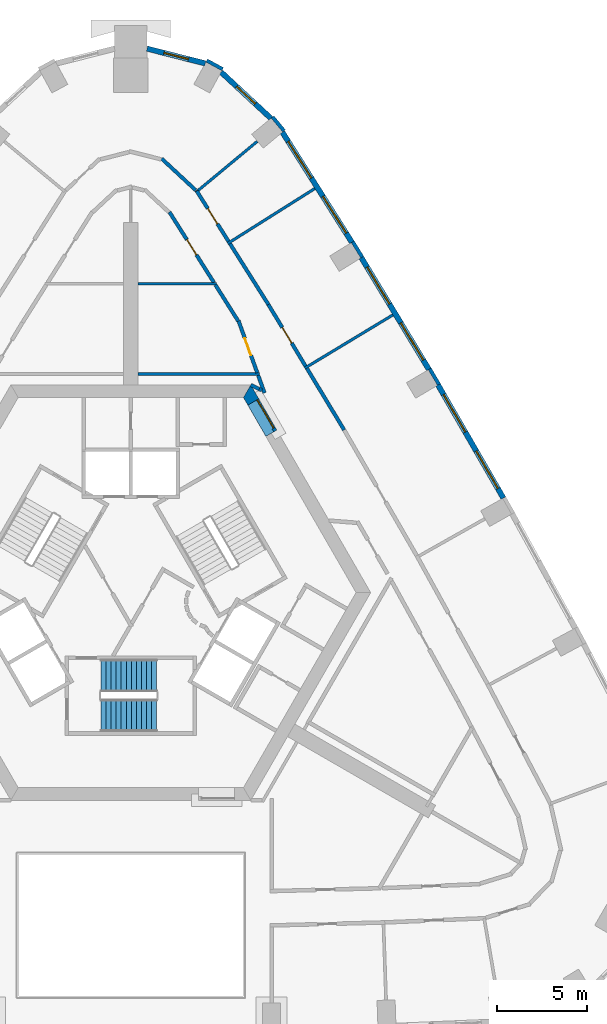
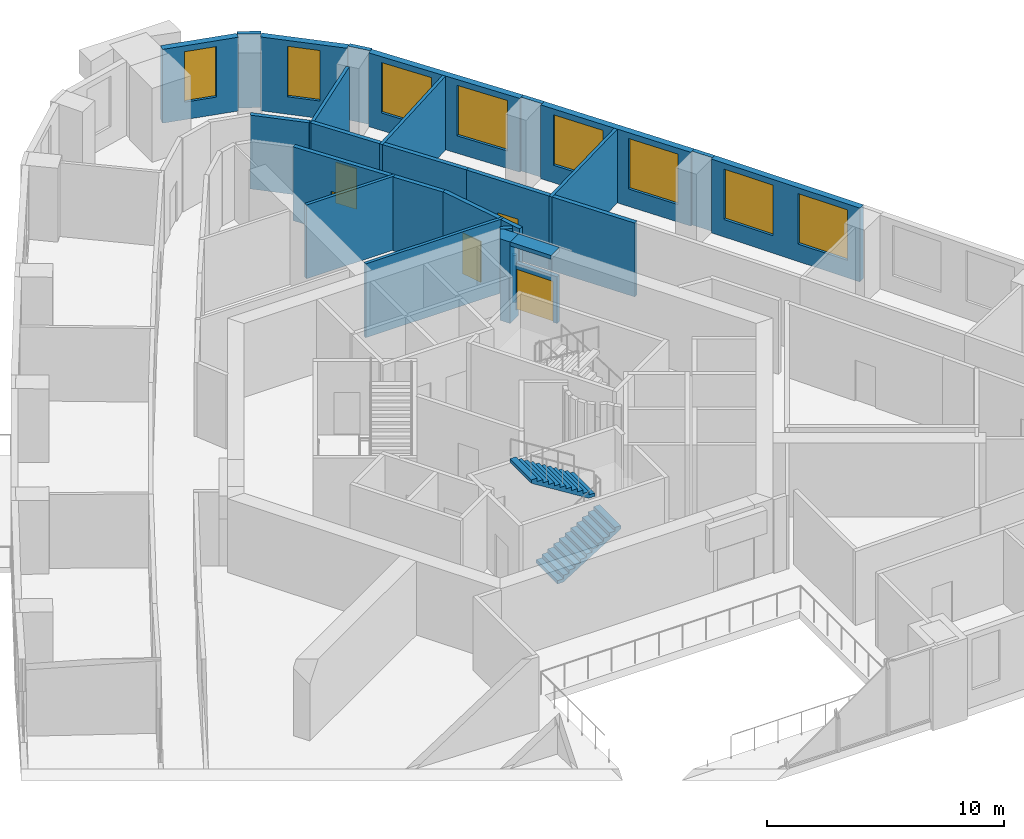
# One storey, part 9 of 13: 28 walls, 8 windows, 5 doors, 2 stair flights, 13 openings, 1 element without a shape of its own.
"""IFC4 building model written with IfcOpenShell, lengths in metres."""

from ifc_helpers import new_model, si_unit, direction, frame, frame_2d, origin, place, context, subcontext, project, spatial, polyline, rectangle, outline, extrude, material, layer, layer_set, type_object, element, fill, aggregate, save


model = new_model("IFC4")

# Units and contexts
model_context = context("Model", 3, precision=1e-05, world=origin(), true_north=direction((0.0, 1.0)))
body_context = subcontext(model_context, "Body", "Model", "MODEL_VIEW")
ifc_project = project(units=[si_unit("LENGTHUNIT", "METRE"), si_unit("AREAUNIT", "SQUARE_METRE"), si_unit("VOLUMEUNIT", "CUBIC_METRE"), si_unit("PLANEANGLEUNIT", "RADIAN"), si_unit("MASSUNIT", "GRAM", prefix="KILO")], contexts=[model_context])

# Site, building, storey
site_placement = place(None, origin())
site = spatial("IfcSite", under=ifc_project, at=site_placement, CompositionType="ELEMENT")
building_placement = place(site_placement, origin())
building = spatial("IfcBuilding", under=site, at=building_placement, Name="Entoto Arch Interchange Tower", CompositionType="ELEMENT")
storey_placement = place(building_placement, frame((0.0, 0.0, 198.199951171875)))
storey = spatial("IfcBuildingStorey", under=building, at=storey_placement, Name="L44", CompositionType="ELEMENT", Elevation=198.199951171875)

# Wall, opening, door
ifc_material_1 = material(Name="Reinforced concrete C40/50", Category="concrete")
ifc_layer_1 = layer(ifc_material_1, 0.199951171875)
ifc_layer_set_1 = layer_set([ifc_layer_1], Name="Reinforced concrete C40/50")
wall_type_1 = type_object("IfcWallType", Name="CORE GAP INFILL WALL", PredefinedType="PARTITIONING", material=ifc_layer_set_1)
wall_1_placement = place(storey_placement, frame((7.9970703125, 11.447998046875, 0.0), z_axis=(0.0, 0.0, 1.0), x_axis=(-0.50002537861, 0.866010750942, 0.0)))
wall_1 = element("IfcWall", 1, at=wall_1_placement, inside=storey, type_object=wall_type_1, Name="wall:L44:gap2", PredefinedType="PARTITIONING", context=body_context, shape_type="SweptSolid", body=[
    extrude(rectangle(XDim=2.0, YDim=0.199951171875, at=frame_2d((1.0, 0.0))), origin(), (0.0, 0.0, 1.0), 2.400146484375),
])
opening_1_placement = place(wall_1_placement, frame((0.18994140625, 0.0, 0.0)))
opening_1 = element("IfcOpeningElement", 2, at=opening_1_placement, cuts=wall_1, Name="Opening L44-D92", PredefinedType="OPENING", context=body_context, shape_type="SweptSolid", body=[
    extrude(rectangle(XDim=1.800048828125, YDim=2.10009765625, at=frame_2d((0.89990234375, 1.050048828125))), frame((0.0, 0.10986328125, 0.0), z_axis=(0.0, -1.0, 0.0), x_axis=(1.0, 0.0, 0.0)), (0.0, 0.0, 1.0), 0.219970703125),
])
ifc_material_2 = material(Name="Fire-rated Steel S235 door and frame", Category="steel")
door_type_1 = type_object("IfcDoorType", Name="DOOR FD-18 1800x2100", OperationType="DOUBLE_DOOR_SINGLE_SWING", PredefinedType="DOOR", material=ifc_material_2)
door_1_placement = place(opening_1_placement, origin())
door_1 = element("IfcDoor", 3, at=door_1_placement, inside=storey, type_object=door_type_1, Name="door:L44:gap2", OperationType="DOUBLE_DOOR_SINGLE_SWING", OverallHeight=2.10009765625, OverallWidth=1.800048828125, PredefinedType="DOOR", context=body_context, shape_type="SweptSolid", body=[
    extrude(rectangle(XDim=1.800048828125, YDim=2.10009765625, at=frame_2d((0.89990234375, 1.050048828125))), frame((0.0, 0.02490234375, 0.0), z_axis=(0.0, -1.0, 0.0), x_axis=(1.0, 0.0, 0.0)), (0.0, 0.0, 1.0), 0.050048828125),
])
fill(opening_1, door_1)

# Walls
ifc_material_3 = material(Name="Concrete C50/60", Category="concrete")
ifc_layer_2 = layer(ifc_material_3, 0.699951171875)
ifc_layer_set_2 = layer_set([ifc_layer_2], Name="Concrete C50/60")
wall_type_2 = type_object("IfcWallType", Name="Core wall 700 C50/60", PredefinedType="SHEAR", material=ifc_layer_set_2)
wall_2_placement = place(storey_placement, frame((0.0, 0.0, -0.39990234375)))
element("IfcWall", 4, at=wall_2_placement, inside=storey, type_object=wall_type_2, Name="Core wall NE L44", PredefinedType="SHEAR", context=body_context, shape_type="SweptSolid", body=[
    extrude(outline(polyline([(6.47802734375, 12.8798828125), (7.083984375, 13.22998046875), (6.639892578125, 14.0), (6.235107421875, 13.300048828125), (6.47802734375, 12.8798828125)])), origin(), (0.0, 0.0, 1.0), 4.199951171875),
])
wall_3_placement = place(storey_placement, frame((0.0, 0.0, 3.60009765625)))
element("IfcWall", 5, at=wall_3_placement, inside=storey, type_object=wall_type_2, Name="Core wall lintel NE L44", PredefinedType="SHEAR", context=body_context, shape_type="SweptSolid", body=[
    extrude(outline(polyline([(7.083984375, 13.22998046875), (6.47802734375, 12.8798828125), (7.47802734375, 11.14794921875), (8.083984375, 11.498046875), (7.083984375, 13.22998046875)])), origin(), (0.0, 0.0, 1.0), 0.199951171875),
])
ifc_material_4 = material(Name="Gypsum board partition on steel studs", Category="steel")
ifc_layer_3 = layer(ifc_material_4, 0.14990234375)
ifc_layer_set_3 = layer_set([ifc_layer_3], Name="Gypsum board partition on steel studs")
wall_type_3 = type_object("IfcWallType", Name="PARTITION 150", PredefinedType="PARTITIONING", material=ifc_layer_set_3)
wall_4_placement = place(storey_placement, frame((7.1240234375, 14.60009765625, 0.0), z_axis=(0.0, 0.0, 1.0), x_axis=(-1.0, 0.0, 0.0)))
element("IfcWall", 6, at=wall_4_placement, inside=storey, type_object=wall_type_3, Name="wall:L44:p077", PredefinedType="PARTITIONING", context=body_context, shape_type="SweptSolid", body=[
    extrude(rectangle(XDim=6.72412109375, YDim=0.14990234375, at=frame_2d((3.362060546875, 0.0))), origin(), (0.0, 0.0, 1.0), 3.800048828125),
])
wall_5_placement = place(storey_placement, frame((0.39990234375, 19.60009765625, 0.0), z_axis=(0.0, 0.0, 1.0), x_axis=(1.0, 0.0, 0.0)))
element("IfcWall", 7, at=wall_5_placement, inside=storey, type_object=wall_type_3, Name="wall:L44:p100", PredefinedType="PARTITIONING", context=body_context, shape_type="SweptSolid", body=[
    extrude(rectangle(XDim=4.342041015625, YDim=0.14990234375, at=frame_2d((2.1708984375, 0.0))), origin(), (0.0, 0.0, 1.0), 3.800048828125),
])
wall_6_placement = place(storey_placement, frame((9.6279296875, 14.924072265625, 0.0), z_axis=(0.0, 0.0, 1.0), x_axis=(0.855931736607, 0.517088834021, 0.0)))
element("IfcWall", 8, at=wall_6_placement, inside=storey, type_object=wall_type_3, Name="wall:L44:p113", PredefinedType="PARTITIONING", context=body_context, shape_type="SweptSolid", body=[
    extrude(rectangle(XDim=5.69921875, YDim=0.14990234375, at=frame_2d((2.849609375, 0.0))), origin(), (0.0, 0.0, 1.0), 3.800048828125),
])
wall_7_placement = place(storey_placement, frame((5.364013671875, 21.826904296875, 0.0), z_axis=(0.0, 0.0, 1.0), x_axis=(0.845716787596, 0.533632003517, 0.0)))
element("IfcWall", 9, at=wall_7_placement, inside=storey, type_object=wall_type_3, Name="wall:L44:p114", PredefinedType="PARTITIONING", context=body_context, shape_type="SweptSolid", body=[
    extrude(rectangle(XDim=5.700439453125, YDim=0.14990234375, at=frame_2d((2.85009765625, 0.0))), origin(), (0.0, 0.0, 1.0), 3.800048828125),
])
wall_8_placement = place(storey_placement, frame((3.5859375, 24.64599609375, 0.0), z_axis=(0.0, 0.0, 1.0), x_axis=(0.769538645463, 0.638600245176, 0.0)))
element("IfcWall", 10, at=wall_8_placement, inside=storey, type_object=wall_type_3, Name="wall:L44:p115", PredefinedType="PARTITIONING", context=body_context, shape_type="SweptSolid", body=[
    extrude(rectangle(XDim=4.43017578125, YDim=0.14990234375, at=frame_2d((2.215087890625, 0.0))), origin(), (0.0, 0.0, 1.0), 3.800048828125),
])
ifc_layer_4 = layer(ifc_material_4, 0.199951171875)
ifc_layer_set_4 = layer_set([ifc_layer_4], Name="Gypsum board partition on steel studs")
wall_type_4 = type_object("IfcWallType", Name="PARTITION 200", PredefinedType="PARTITIONING", material=ifc_layer_set_4)
wall_9_placement = place(storey_placement, frame((6.639892578125, 14.0, 0.0), z_axis=(0.0, 0.0, 1.0), x_axis=(0.899046412443, -0.437853341055, 0.0)))
element("IfcWall", 11, at=wall_9_placement, inside=storey, type_object=wall_type_4, Name="wall:L44:p001", PredefinedType="PARTITIONING", context=body_context, shape_type="SweptSolid", body=[
    extrude(rectangle(XDim=0.52294921875, YDim=0.199951171875, at=frame_2d((0.261474609375, 0.0))), origin(), (0.0, 0.0, 1.0), 3.800048828125),
])
wall_10_placement = place(storey_placement, frame((7.40087890625, 13.552001953125, 0.0), z_axis=(0.0, 0.0, 1.0), x_axis=(-0.337944878606, 0.941165904091, 0.0)))
element("IfcWall", 12, at=wall_10_placement, inside=storey, type_object=wall_type_4, Name="wall:L44:p002", PredefinedType="PARTITIONING", context=body_context, shape_type="SweptSolid", body=[
    extrude(rectangle(XDim=1.0380859375, YDim=0.199951171875, at=frame_2d((0.51904296875, 0.0))), origin(), (0.0, 0.0, 1.0), 3.800048828125),
])

# Wall, opening, door
wall_11_placement = place(storey_placement, frame((6.9990234375, 14.6708984375, 0.0), z_axis=(0.0, 0.0, 1.0), x_axis=(-0.338795881304, 0.940859899672, 0.0)))
wall_11 = element("IfcWall", 13, at=wall_11_placement, inside=storey, type_object=wall_type_4, Name="wall:L44:p007", PredefinedType="PARTITIONING", context=body_context, shape_type="SweptSolid", body=[
    extrude(rectangle(XDim=3.0546875, YDim=0.199951171875, at=frame_2d((1.52734375, 0.0))), origin(), (0.0, 0.0, 1.0), 3.800048828125),
])
opening_2_placement = place(wall_11_placement, frame((1.027099609375, 0.0, 0.0)))
opening_2 = element("IfcOpeningElement", 14, at=opening_2_placement, cuts=wall_11, Name="Opening L44-D21", PredefinedType="OPENING", context=body_context, shape_type="SweptSolid", body=[
    extrude(rectangle(XDim=1.0, YDim=2.10009765625, at=frame_2d((0.5, 1.050048828125))), frame((0.0, 0.10986328125, 0.0), z_axis=(0.0, -1.0, 0.0), x_axis=(1.0, 0.0, 0.0)), (0.0, 0.0, 1.0), 0.219970703125),
])
ifc_material_5 = material(Name="Timber door leaf in Steel S235 frame", Category="steel")
door_type_2 = type_object("IfcDoorType", Name="DOOR DS-10 1000x2100", OperationType="SINGLE_SWING_LEFT", PredefinedType="DOOR", material=ifc_material_5)
door_2_placement = place(opening_2_placement, origin())
door_2 = element("IfcDoor", 15, at=door_2_placement, inside=storey, type_object=door_type_2, Name="door:L44:21", OperationType="SINGLE_SWING_LEFT", OverallHeight=2.10009765625, OverallWidth=1.0, PredefinedType="DOOR", context=body_context, shape_type="SweptSolid", body=[
    extrude(rectangle(XDim=1.0, YDim=2.10009765625, at=frame_2d((0.5, 1.050048828125))), frame((0.0, 0.02490234375, 0.0), z_axis=(0.0, -1.0, 0.0), x_axis=(1.0, 0.0, 0.0)), (0.0, 0.0, 1.0), 0.050048828125),
])
fill(opening_2, door_2)

# Wall
wall_12_placement = place(storey_placement, frame((5.945068359375, 17.534912109375, 0.0), z_axis=(0.0, 0.0, 1.0), x_axis=(-0.533581643518, 0.845748561749, 0.0)))
element("IfcWall", 16, at=wall_12_placement, inside=storey, type_object=wall_type_4, Name="wall:L44:p008", PredefinedType="PARTITIONING", context=body_context, shape_type="SweptSolid", body=[
    extrude(rectangle(XDim=2.367431640625, YDim=0.199951171875, at=frame_2d((1.18359375, 0.0))), origin(), (0.0, 0.0, 1.0), 3.800048828125),
])

# Wall, opening, door
wall_13_placement = place(storey_placement, frame((4.60205078125, 19.6630859375, 0.0), z_axis=(0.0, 0.0, 1.0), x_axis=(-0.533664968846, 0.845695986171, 0.0)))
wall_13 = element("IfcWall", 17, at=wall_13_placement, inside=storey, type_object=wall_type_4, Name="wall:L44:p011", PredefinedType="PARTITIONING", context=body_context, shape_type="SweptSolid", body=[
    extrude(rectangle(XDim=4.62109375, YDim=0.199951171875, at=frame_2d((2.310546875, 0.0))), origin(), (0.0, 0.0, 1.0), 3.800048828125),
])
opening_3_placement = place(wall_13_placement, frame((1.81005859375, 0.0, 0.0)))
opening_3 = element("IfcOpeningElement", 18, at=opening_3_placement, cuts=wall_13, Name="Opening L44-D23", PredefinedType="OPENING", context=body_context, shape_type="SweptSolid", body=[
    extrude(rectangle(XDim=1.0, YDim=2.10009765625, at=frame_2d((0.5, 1.050048828125))), frame((0.0, 0.10986328125, 0.0), z_axis=(0.0, -1.0, 0.0), x_axis=(1.0, 0.0, 0.0)), (0.0, 0.0, 1.0), 0.219970703125),
])
door_3_placement = place(opening_3_placement, origin())
door_3 = element("IfcDoor", 19, at=door_3_placement, inside=storey, type_object=door_type_2, Name="door:L44:23", OperationType="SINGLE_SWING_LEFT", OverallHeight=2.10009765625, OverallWidth=1.0, PredefinedType="DOOR", context=body_context, shape_type="SweptSolid", body=[
    extrude(rectangle(XDim=1.0, YDim=2.10009765625, at=frame_2d((0.5, 1.050048828125))), frame((0.0, 0.02490234375, 0.0), z_axis=(0.0, -1.0, 0.0), x_axis=(1.0, 0.0, 0.0)), (0.0, 0.0, 1.0), 0.050048828125),
])
fill(opening_3, door_3)

# Walls
wall_14_placement = place(storey_placement, frame((9.751953125, 14.910888671875, 0.0), z_axis=(0.0, 0.0, 1.0), x_axis=(0.517135291957, -0.855903668535, 0.0)))
element("IfcWall", 20, at=wall_14_placement, inside=storey, type_object=wall_type_4, Name="wall:L44:p043", PredefinedType="PARTITIONING", context=body_context, shape_type="SweptSolid", body=[
    extrude(rectangle(XDim=3.981689453125, YDim=0.199951171875, at=frame_2d((1.99072265625, 0.0))), origin(), (0.0, 0.0, 1.0), 3.800048828125),
])
wall_15_placement = place(storey_placement, frame((5.489013671875, 21.81689453125, 0.0), z_axis=(0.0, 0.0, 1.0), x_axis=(0.533790022325, -0.845617059943, 0.0)))
element("IfcWall", 21, at=wall_15_placement, inside=storey, type_object=wall_type_4, Name="wall:L44:p045", PredefinedType="PARTITIONING", context=body_context, shape_type="SweptSolid", body=[
    extrude(rectangle(XDim=3.98291015625, YDim=0.199951171875, at=frame_2d((1.991455078125, 0.0))), origin(), (0.0, 0.0, 1.0), 3.800048828125),
])

# Wall, opening, door
wall_16_placement = place(storey_placement, frame((7.614990234375, 18.448974609375, 0.0), z_axis=(0.0, 0.0, 1.0), x_axis=(0.516918251554, -0.856034766356, 0.0)))
wall_16 = element("IfcWall", 22, at=wall_16_placement, inside=storey, type_object=wall_type_4, Name="wall:L44:p046", PredefinedType="PARTITIONING", context=body_context, shape_type="SweptSolid", body=[
    extrude(rectangle(XDim=3.9833984375, YDim=0.199951171875, at=frame_2d((1.99169921875, 0.0))), origin(), (0.0, 0.0, 1.0), 3.800048828125),
])
opening_4_placement = place(wall_16_placement, frame((1.491943359375, 0.0, 0.0)))
opening_4 = element("IfcOpeningElement", 23, at=opening_4_placement, cuts=wall_16, Name="Opening L44-D07", PredefinedType="OPENING", context=body_context, shape_type="SweptSolid", body=[
    extrude(rectangle(XDim=1.0, YDim=2.10009765625, at=frame_2d((0.5, 1.050048828125))), frame((0.0, 0.10986328125, 0.0), z_axis=(0.0, -1.0, 0.0), x_axis=(1.0, 0.0, 0.0)), (0.0, 0.0, 1.0), 0.219970703125),
])
door_4_placement = place(opening_4_placement, origin())
door_4 = element("IfcDoor", 24, at=door_4_placement, inside=storey, type_object=door_type_2, Name="door:L44:07", OperationType="SINGLE_SWING_LEFT", OverallHeight=2.10009765625, OverallWidth=1.0, PredefinedType="DOOR", context=body_context, shape_type="SweptSolid", body=[
    extrude(rectangle(XDim=1.0, YDim=2.10009765625, at=frame_2d((0.5, 1.050048828125))), frame((0.0, 0.02490234375, 0.0), z_axis=(0.0, -1.0, 0.0), x_axis=(1.0, 0.0, 0.0)), (0.0, 0.0, 1.0), 0.050048828125),
])
fill(opening_4, door_4)

wall_17_placement = place(storey_placement, frame((3.64990234375, 24.73095703125, 0.0), z_axis=(0.0, 0.0, 1.0), x_axis=(0.533756056831, -0.845638499476, 0.0)))
wall_17 = element("IfcWall", 25, at=wall_17_placement, inside=storey, type_object=wall_type_4, Name="wall:L44:p047", PredefinedType="PARTITIONING", context=body_context, shape_type="SweptSolid", body=[
    extrude(rectangle(XDim=3.295654296875, YDim=0.199951171875, at=frame_2d((1.64794921875, 0.0))), origin(), (0.0, 0.0, 1.0), 3.800048828125),
])
opening_5_placement = place(wall_17_placement, frame((1.14794921875, 0.0, 0.0)))
opening_5 = element("IfcOpeningElement", 26, at=opening_5_placement, cuts=wall_17, Name="Opening L44-D08", PredefinedType="OPENING", context=body_context, shape_type="SweptSolid", body=[
    extrude(rectangle(XDim=1.0, YDim=2.10009765625, at=frame_2d((0.5, 1.050048828125))), frame((0.0, 0.10986328125, 0.0), z_axis=(0.0, -1.0, 0.0), x_axis=(1.0, 0.0, 0.0)), (0.0, 0.0, 1.0), 0.219970703125),
])
door_5_placement = place(opening_5_placement, origin())
door_5 = element("IfcDoor", 27, at=door_5_placement, inside=storey, type_object=door_type_2, Name="door:L44:08", OperationType="SINGLE_SWING_LEFT", OverallHeight=2.10009765625, OverallWidth=1.0, PredefinedType="DOOR", context=body_context, shape_type="SweptSolid", body=[
    extrude(rectangle(XDim=1.0, YDim=2.10009765625, at=frame_2d((0.5, 1.050048828125))), frame((0.0, 0.02490234375, 0.0), z_axis=(0.0, -1.0, 0.0), x_axis=(1.0, 0.0, 0.0)), (0.0, 0.0, 1.0), 0.050048828125),
])
fill(opening_5, door_5)

# Walls
wall_18_placement = place(storey_placement, frame((1.70703125, 26.52587890625, 0.0), z_axis=(0.0, 0.0, 1.0), x_axis=(0.732939008525, -0.680294355248, 0.0)))
element("IfcWall", 28, at=wall_18_placement, inside=storey, type_object=wall_type_4, Name="wall:L44:p051", PredefinedType="PARTITIONING", context=body_context, shape_type="SweptSolid", body=[
    extrude(rectangle(XDim=2.569091796875, YDim=0.199951171875, at=frame_2d((1.28466796875, 0.0))), origin(), (0.0, 0.0, 1.0), 3.800048828125),
])
wall_19_placement = place(storey_placement, frame((7.110107421875, 13.77099609375, 0.0), z_axis=(0.0, 0.0, 1.0), x_axis=(0.900120852209, -0.435640277545, 0.0)))
element("IfcWall", 29, at=wall_19_placement, inside=storey, type_object=wall_type_4, Name="wall:L44:p001", PredefinedType="PARTITIONING", context=body_context, shape_type="SweptSolid", body=[
    extrude(rectangle(XDim=0.160888671875, YDim=0.199951171875, at=frame_2d((0.08056640625, 0.0))), origin(), (0.0, 0.0, 1.0), 2.400146484375),
])

# Wall, openings, windows
ifc_material_6 = material(Name="Welded tuff (ignimbrite) cladding, warm buff", Category="masonry")
ifc_layer_5 = layer(ifc_material_6, 0.300048828125)
ifc_layer_set_5 = layer_set([ifc_layer_5], Name="Welded tuff (ignimbrite) cladding, warm buff")
wall_type_5 = type_object("IfcWallType", Name="STONE INFILL WALL 300", PredefinedType="STANDARD", material=ifc_layer_set_5)
wall_20_placement = place(storey_placement, frame((20.6259765625, 7.73388671875, 0.0), z_axis=(0.0, 0.0, 1.0), x_axis=(-0.499948481376, 0.866055146033, 0.0)))
wall_20 = element("IfcWall", 30, at=wall_20_placement, inside=storey, type_object=wall_type_5, Name="Facade wall NE-03 L44", PredefinedType="STANDARD", context=body_context, shape_type="SweptSolid", body=[
    extrude(rectangle(XDim=7.230712890625, YDim=0.300048828125, at=frame_2d((3.615234375, 0.0))), origin(), (0.0, 0.0, 1.0), 3.800048828125),
])
opening_6_placement = place(wall_20_placement, frame((0.60791015625, 0.0, 0.89990234375)))
opening_6 = element("IfcOpeningElement", 31, at=opening_6_placement, cuts=wall_20, Name="Opening WO-A", PredefinedType="OPENING", context=body_context, shape_type="SweptSolid", body=[
    extrude(rectangle(XDim=2.39990234375, YDim=2.60009765625, at=frame_2d((1.199951171875, 1.300048828125))), frame((0.0, 0.16015625, 0.0), z_axis=(0.0, -1.0, 0.0), x_axis=(1.0, 0.0, 0.0)), (0.0, 0.0, 1.0), 0.320068359375),
])
opening_7_placement = place(wall_20_placement, frame((4.222900390625, 0.0, 0.89990234375)))
opening_7 = element("IfcOpeningElement", 32, at=opening_7_placement, cuts=wall_20, Name="Opening WO-A", PredefinedType="OPENING", context=body_context, shape_type="SweptSolid", body=[
    extrude(rectangle(XDim=2.39990234375, YDim=2.60009765625, at=frame_2d((1.199951171875, 1.300048828125))), frame((0.0, 0.16015625, 0.0), z_axis=(0.0, -1.0, 0.0), x_axis=(1.0, 0.0, 0.0)), (0.0, 0.0, 1.0), 0.320068359375),
])
ifc_material_7 = material(Name="Clear glass, low-e double glazed", Category="glass")
window_type_1 = type_object("IfcWindowType", Name="WINDOW WO-A 2400x2600", PartitioningType="DOUBLE_PANEL_VERTICAL", PredefinedType="WINDOW", material=ifc_material_7)
window_1_placement = place(opening_6_placement, origin())
window_1 = element("IfcWindow", 33, at=window_1_placement, inside=storey, type_object=window_type_1, Name="Window WO-A NE-03 L44", OverallHeight=2.60009765625, OverallWidth=2.39990234375, PartitioningType="SINGLE_PANEL", PredefinedType="WINDOW", context=body_context, shape_type="SweptSolid", body=[
    extrude(rectangle(XDim=2.39990234375, YDim=2.60009765625, at=frame_2d((1.199951171875, 1.300048828125))), frame((0.0, 0.030029296875, 0.0), z_axis=(0.0, -1.0, 0.0), x_axis=(1.0, 0.0, 0.0)), (0.0, 0.0, 1.0), 0.06005859375),
])
fill(opening_6, window_1)
window_2_placement = place(opening_7_placement, origin())
window_2 = element("IfcWindow", 34, at=window_2_placement, inside=storey, type_object=window_type_1, Name="Window WO-A NE-03 L44", OverallHeight=2.60009765625, OverallWidth=2.39990234375, PartitioningType="SINGLE_PANEL", PredefinedType="WINDOW", context=body_context, shape_type="SweptSolid", body=[
    extrude(rectangle(XDim=2.39990234375, YDim=2.60009765625, at=frame_2d((1.199951171875, 1.300048828125))), frame((0.0, 0.030029296875, 0.0), z_axis=(0.0, -1.0, 0.0), x_axis=(1.0, 0.0, 0.0)), (0.0, 0.0, 1.0), 0.06005859375),
])
fill(opening_7, window_2)

wall_21_placement = place(storey_placement, frame((16.50390625, 14.85498046875, 0.0), z_axis=(0.0, 0.0, 1.0), x_axis=(-0.517159962006, 0.855888762456, 0.0)))
wall_21 = element("IfcWall", 35, at=wall_21_placement, inside=storey, type_object=wall_type_5, Name="Facade wall NE-04 L44", PredefinedType="STANDARD", context=body_context, shape_type="SweptSolid", body=[
    extrude(rectangle(XDim=7.22998046875, YDim=0.300048828125, at=frame_2d((3.614990234375, 0.0))), origin(), (0.0, 0.0, 1.0), 3.800048828125),
])
opening_8_placement = place(wall_21_placement, frame((0.60693359375, 0.0, 0.89990234375)))
opening_8 = element("IfcOpeningElement", 36, at=opening_8_placement, cuts=wall_21, Name="Opening WO-A", PredefinedType="OPENING", context=body_context, shape_type="SweptSolid", body=[
    extrude(rectangle(XDim=2.39990234375, YDim=2.60009765625, at=frame_2d((1.199951171875, 1.300048828125))), frame((0.0, 0.16015625, 0.0), z_axis=(0.0, -1.0, 0.0), x_axis=(1.0, 0.0, 0.0)), (0.0, 0.0, 1.0), 0.320068359375),
])
opening_9_placement = place(wall_21_placement, frame((4.221923828125, 0.0, 0.89990234375)))
opening_9 = element("IfcOpeningElement", 37, at=opening_9_placement, cuts=wall_21, Name="Opening WO-A", PredefinedType="OPENING", context=body_context, shape_type="SweptSolid", body=[
    extrude(rectangle(XDim=2.39990234375, YDim=2.60009765625, at=frame_2d((1.199951171875, 1.300048828125))), frame((0.0, 0.16015625, 0.0), z_axis=(0.0, -1.0, 0.0), x_axis=(1.0, 0.0, 0.0)), (0.0, 0.0, 1.0), 0.320068359375),
])
window_3_placement = place(opening_8_placement, origin())
window_3 = element("IfcWindow", 38, at=window_3_placement, inside=storey, type_object=window_type_1, Name="Window WO-A NE-04 L44", OverallHeight=2.60009765625, OverallWidth=2.39990234375, PartitioningType="SINGLE_PANEL", PredefinedType="WINDOW", context=body_context, shape_type="SweptSolid", body=[
    extrude(rectangle(XDim=2.39990234375, YDim=2.60009765625, at=frame_2d((1.199951171875, 1.300048828125))), frame((0.0, 0.030029296875, 0.0), z_axis=(0.0, -1.0, 0.0), x_axis=(1.0, 0.0, 0.0)), (0.0, 0.0, 1.0), 0.06005859375),
])
fill(opening_8, window_3)
window_4_placement = place(opening_9_placement, origin())
window_4 = element("IfcWindow", 39, at=window_4_placement, inside=storey, type_object=window_type_1, Name="Window WO-A NE-04 L44", OverallHeight=2.60009765625, OverallWidth=2.39990234375, PartitioningType="SINGLE_PANEL", PredefinedType="WINDOW", context=body_context, shape_type="SweptSolid", body=[
    extrude(rectangle(XDim=2.39990234375, YDim=2.60009765625, at=frame_2d((1.199951171875, 1.300048828125))), frame((0.0, 0.030029296875, 0.0), z_axis=(0.0, -1.0, 0.0), x_axis=(1.0, 0.0, 0.0)), (0.0, 0.0, 1.0), 0.06005859375),
])
fill(opening_9, window_4)

wall_22_placement = place(storey_placement, frame((12.240966796875, 21.89208984375, 0.0), z_axis=(0.0, 0.0, 1.0), x_axis=(-0.533680752529, 0.845686025887, 0.0)))
wall_22 = element("IfcWall", 40, at=wall_22_placement, inside=storey, type_object=wall_type_5, Name="Facade wall NE-05 L44", PredefinedType="STANDARD", context=body_context, shape_type="SweptSolid", body=[
    extrude(rectangle(XDim=7.208251953125, YDim=0.300048828125, at=frame_2d((3.60400390625, 0.0))), origin(), (0.0, 0.0, 1.0), 3.800048828125),
])
opening_10_placement = place(wall_22_placement, frame((0.60205078125, 0.0, 0.89990234375)))
opening_10 = element("IfcOpeningElement", 41, at=opening_10_placement, cuts=wall_22, Name="Opening WO-A", PredefinedType="OPENING", context=body_context, shape_type="SweptSolid", body=[
    extrude(rectangle(XDim=2.39990234375, YDim=2.60009765625, at=frame_2d((1.199951171875, 1.300048828125))), frame((0.0, 0.16015625, 0.0), z_axis=(0.0, -1.0, 0.0), x_axis=(1.0, 0.0, 0.0)), (0.0, 0.0, 1.0), 0.320068359375),
])
opening_11_placement = place(wall_22_placement, frame((4.2060546875, 0.0, 0.89990234375)))
opening_11 = element("IfcOpeningElement", 42, at=opening_11_placement, cuts=wall_22, Name="Opening WO-A", PredefinedType="OPENING", context=body_context, shape_type="SweptSolid", body=[
    extrude(rectangle(XDim=2.39990234375, YDim=2.60009765625, at=frame_2d((1.199951171875, 1.300048828125))), frame((0.0, 0.16015625, 0.0), z_axis=(0.0, -1.0, 0.0), x_axis=(1.0, 0.0, 0.0)), (0.0, 0.0, 1.0), 0.320068359375),
])
window_5_placement = place(opening_10_placement, origin())
window_5 = element("IfcWindow", 43, at=window_5_placement, inside=storey, type_object=window_type_1, Name="Window WO-A NE-05 L44", OverallHeight=2.60009765625, OverallWidth=2.39990234375, PartitioningType="SINGLE_PANEL", PredefinedType="WINDOW", context=body_context, shape_type="SweptSolid", body=[
    extrude(rectangle(XDim=2.39990234375, YDim=2.60009765625, at=frame_2d((1.199951171875, 1.300048828125))), frame((0.0, 0.030029296875, 0.0), z_axis=(0.0, -1.0, 0.0), x_axis=(1.0, 0.0, 0.0)), (0.0, 0.0, 1.0), 0.06005859375),
])
fill(opening_10, window_5)
window_6_placement = place(opening_11_placement, origin())
window_6 = element("IfcWindow", 44, at=window_6_placement, inside=storey, type_object=window_type_1, Name="Window WO-A NE-05 L44", OverallHeight=2.60009765625, OverallWidth=2.39990234375, PartitioningType="SINGLE_PANEL", PredefinedType="WINDOW", context=body_context, shape_type="SweptSolid", body=[
    extrude(rectangle(XDim=2.39990234375, YDim=2.60009765625, at=frame_2d((1.199951171875, 1.300048828125))), frame((0.0, 0.030029296875, 0.0), z_axis=(0.0, -1.0, 0.0), x_axis=(1.0, 0.0, 0.0)), (0.0, 0.0, 1.0), 0.06005859375),
])
fill(opening_11, window_6)

# Wall, opening, window
wall_23_placement = place(storey_placement, frame((7.757080078125, 28.756103515625, 0.0), z_axis=(0.0, 0.0, 1.0), x_axis=(-0.732897351132, 0.680339233547, 0.0)))
wall_23 = element("IfcWall", 45, at=wall_23_placement, inside=storey, type_object=wall_type_5, Name="Facade wall N-01 L44", PredefinedType="STANDARD", context=body_context, shape_type="SweptSolid", body=[
    extrude(rectangle(XDim=3.767333984375, YDim=0.300048828125, at=frame_2d((1.8837890625, 0.0))), origin(), (0.0, 0.0, 1.0), 3.800048828125),
])
opening_12_placement = place(wall_23_placement, frame((1.18408203125, 0.0, 0.89990234375)))
opening_12 = element("IfcOpeningElement", 46, at=opening_12_placement, cuts=wall_23, Name="Opening WO-B", PredefinedType="OPENING", context=body_context, shape_type="SweptSolid", body=[
    extrude(rectangle(XDim=1.39990234375, YDim=2.60009765625, at=frame_2d((0.699951171875, 1.300048828125))), frame((0.0, 0.16015625, 0.0), z_axis=(0.0, -1.0, 0.0), x_axis=(1.0, 0.0, 0.0)), (0.0, 0.0, 1.0), 0.320068359375),
])
window_type_2 = type_object("IfcWindowType", Name="WINDOW WO-B 1400x2600", PartitioningType="DOUBLE_PANEL_VERTICAL", PredefinedType="WINDOW", material=ifc_material_7)
window_7_placement = place(opening_12_placement, origin())
window_7 = element("IfcWindow", 47, at=window_7_placement, inside=storey, type_object=window_type_2, Name="Window WO-B N-01 L44", OverallHeight=2.60009765625, OverallWidth=1.39990234375, PartitioningType="SINGLE_PANEL", PredefinedType="WINDOW", context=body_context, shape_type="SweptSolid", body=[
    extrude(rectangle(XDim=1.39990234375, YDim=2.60009765625, at=frame_2d((0.699951171875, 1.300048828125))), frame((0.0, 0.030029296875, 0.0), z_axis=(0.0, -1.0, 0.0), x_axis=(1.0, 0.0, 0.0)), (0.0, 0.0, 1.0), 0.06005859375),
])
fill(opening_12, window_7)

wall_24_placement = place(storey_placement, frame((4.1201171875, 31.7958984375, 0.0), z_axis=(0.0, 0.0, 1.0), x_axis=(-0.969087915137, 0.24671565158, 0.0)))
wall_24 = element("IfcWall", 48, at=wall_24_placement, inside=storey, type_object=wall_type_5, Name="Facade wall N-02 L44", PredefinedType="STANDARD", context=body_context, shape_type="SweptSolid", body=[
    extrude(rectangle(XDim=3.323974609375, YDim=0.300048828125, at=frame_2d((1.662109375, 0.0))), origin(), (0.0, 0.0, 1.0), 3.800048828125),
])
opening_13_placement = place(wall_24_placement, frame((0.9619140625, 0.0, 0.89990234375)))
opening_13 = element("IfcOpeningElement", 49, at=opening_13_placement, cuts=wall_24, Name="Opening WO-B", PredefinedType="OPENING", context=body_context, shape_type="SweptSolid", body=[
    extrude(rectangle(XDim=1.39990234375, YDim=2.60009765625, at=frame_2d((0.699951171875, 1.300048828125))), frame((0.0, 0.16015625, 0.0), z_axis=(0.0, -1.0, 0.0), x_axis=(1.0, 0.0, 0.0)), (0.0, 0.0, 1.0), 0.320068359375),
])
window_8_placement = place(opening_13_placement, origin())
window_8 = element("IfcWindow", 50, at=window_8_placement, inside=storey, type_object=window_type_2, Name="Window WO-B N-02 L44", OverallHeight=2.60009765625, OverallWidth=1.39990234375, PartitioningType="SINGLE_PANEL", PredefinedType="WINDOW", context=body_context, shape_type="SweptSolid", body=[
    extrude(rectangle(XDim=1.39990234375, YDim=2.60009765625, at=frame_2d((0.699951171875, 1.300048828125))), frame((0.0, 0.030029296875, 0.0), z_axis=(0.0, -1.0, 0.0), x_axis=(1.0, 0.0, 0.0)), (0.0, 0.0, 1.0), 0.06005859375),
])
fill(opening_13, window_8)

# Walls
ifc_layer_6 = layer(ifc_material_6, 0.199951171875)
ifc_layer_set_6 = layer_set([ifc_layer_6], Name="Welded tuff (ignimbrite) cladding, warm buff")
wall_type_6 = type_object("IfcWallType", Name="STONE PIER CLADDING 200", PredefinedType="STANDARD", material=ifc_layer_set_6)
for number, where, z_axis, x_axis, name in (
    (51, (5.083984375, 31.47802734375, 0.0), (0.0, 0.0, 1.0), (-0.878250009632, 0.478201757191, 0.0), "Stone pier N1 L44"),
    (52, (17.05908203125, 14.02294921875, 0.0), (0.0, 0.0, 1.0), (-0.508161541526, 0.861261776531, 0.0), "Stone pier NE04 L44"),
):
    element("IfcWall", number, at=place(storey_placement, frame(where, z_axis=z_axis, x_axis=x_axis)), inside=storey, type_object=wall_type_6, Name=name, PredefinedType="STANDARD", context=body_context, shape_type="SweptSolid", body=[
        extrude(rectangle(XDim=0.999755859375, YDim=0.199951171875, at=frame_2d((0.5, 0.0))), origin(), (0.0, 0.0, 1.0), 3.800048828125),
    ])
wall_25_placement = place(storey_placement, frame((12.81298828125, 21.071044921875, 0.0), z_axis=(0.0, 0.0, 1.0), x_axis=(-0.525648735675, 0.850701714282, 0.0)))
element("IfcWall", 53, at=wall_25_placement, inside=storey, type_object=wall_type_6, Name="Stone pier NE05 L44", PredefinedType="STANDARD", context=body_context, shape_type="SweptSolid", body=[
    extrude(rectangle(XDim=1.00048828125, YDim=0.199951171875, at=frame_2d((0.500244140625, 0.0))), origin(), (0.0, 0.0, 1.0), 3.800048828125),
])
wall_26_placement = place(storey_placement, frame((8.48388671875, 28.06103515625, 0.0), z_axis=(0.0, 0.0, 1.0), x_axis=(-0.637972365578, 0.770059257953, 0.0)))
element("IfcWall", 54, at=wall_26_placement, inside=storey, type_object=wall_type_6, Name="Stone pier NE06 L44", PredefinedType="STANDARD", context=body_context, shape_type="SweptSolid", body=[
    extrude(rectangle(XDim=1.0, YDim=0.199951171875, at=frame_2d((0.5, 0.0))), origin(), (0.0, 0.0, 1.0), 3.800048828125),
])

# Stair, stair flights
ifc_material_8 = material(Name="Concrete C40/50", Category="concrete")
stair_type = type_object("IfcStairType", Name="EXIT STAIR RC 1800", PredefinedType="HALF_TURN_STAIR", material=ifc_material_8)
stair_placement = place(storey_placement, origin())
stair = element("IfcStair", 55, at=stair_placement, inside=storey, type_object=stair_type, Name="L44 Exit stair S", PredefinedType="HALF_TURN_STAIR")
stair_flight_type = type_object("IfcStairFlightType", Name="EXIT STAIR FLIGHT RC 1800", PredefinedType="STRAIGHT", material=ifc_material_8)
stair_flight_1_placement = place(storey_placement, frame((-1.64990234375, -4.300048828125, 0.0), z_axis=(0.0, 0.0, 1.0), x_axis=(1.0, 0.0, 0.0)))
stair_flight_1 = element("IfcStairFlight", 56, at=stair_flight_1_placement, type_object=stair_flight_type, Name="ST-S flight 1", NumberOfRisers=12, NumberOfTreads=11, PredefinedType="STRAIGHT", RiserHeight=0.175, TreadLength=0.28, context=body_context, shape_type="SweptSolid", body=[
    extrude(outline(polyline([(-0.0029296875, 0.0), (-0.0029296875, 0.175048828125), (0.280029296875, 0.175048828125), (0.280029296875, 0.35009765625), (0.56005859375, 0.35009765625), (0.56005859375, 0.52490234375), (0.840087890625, 0.52490234375), (0.840087890625, 0.699951171875), (1.1201171875, 0.699951171875), (1.1201171875, 0.875), (1.39990234375, 0.875), (1.39990234375, 1.050048828125), (1.679931640625, 1.050048828125), (1.679931640625, 1.22509765625), (1.9599609375, 1.22509765625), (1.9599609375, 1.39990234375), (2.239990234375, 1.39990234375), (2.239990234375, 1.574951171875), (2.52001953125, 1.574951171875), (2.52001953125, 1.75), (2.800048828125, 1.75), (2.800048828125, 1.925048828125), (3.080078125, 1.925048828125), (3.0830078125, 1.925048828125), (3.0830078125, 1.75), (0.28271484375, 0.0), (-0.0029296875, 0.0)])), frame((0.0, 0.89990234375, 0.0), z_axis=(0.0, -1.0, 0.0), x_axis=(1.0, 0.0, 0.0)), (0.0, 0.0, 1.0), 1.800048828125),
])
stair_flight_2_placement = place(storey_placement, frame((1.429931640625, -2.10009765625, 2.10009765625), z_axis=(0.0, 0.0, 1.0), x_axis=(-1.0, 0.0, 0.0)))
stair_flight_2 = element("IfcStairFlight", 57, at=stair_flight_2_placement, type_object=stair_flight_type, Name="ST-S flight 2", NumberOfRisers=12, NumberOfTreads=11, PredefinedType="STRAIGHT", RiserHeight=0.175, TreadLength=0.28, context=body_context, shape_type="SweptSolid", body=[
    extrude(outline(polyline([(-0.0029296875, 0.0), (-0.0029296875, 0.175048828125), (0.280029296875, 0.175048828125), (0.280029296875, 0.35009765625), (0.56005859375, 0.35009765625), (0.56005859375, 0.52490234375), (0.840087890625, 0.52490234375), (0.840087890625, 0.699951171875), (1.1201171875, 0.699951171875), (1.1201171875, 0.875), (1.39990234375, 0.875), (1.39990234375, 1.050048828125), (1.679931640625, 1.050048828125), (1.679931640625, 1.22509765625), (1.9599609375, 1.22509765625), (1.9599609375, 1.39990234375), (2.239990234375, 1.39990234375), (2.239990234375, 1.574951171875), (2.52001953125, 1.574951171875), (2.52001953125, 1.75), (2.800048828125, 1.75), (2.800048828125, 1.925048828125), (3.080078125, 1.925048828125), (3.0830078125, 1.925048828125), (3.0830078125, 1.75), (0.28271484375, 0.0), (-0.0029296875, 0.0)])), frame((0.0, 0.89990234375, 0.0), z_axis=(0.0, -1.0, 0.0), x_axis=(1.0, 0.0, 0.0)), (0.0, 0.0, 1.0), 1.800048828125),
])
aggregate(stair, [stair_flight_1, stair_flight_2])

save(model, "model.ifc")
